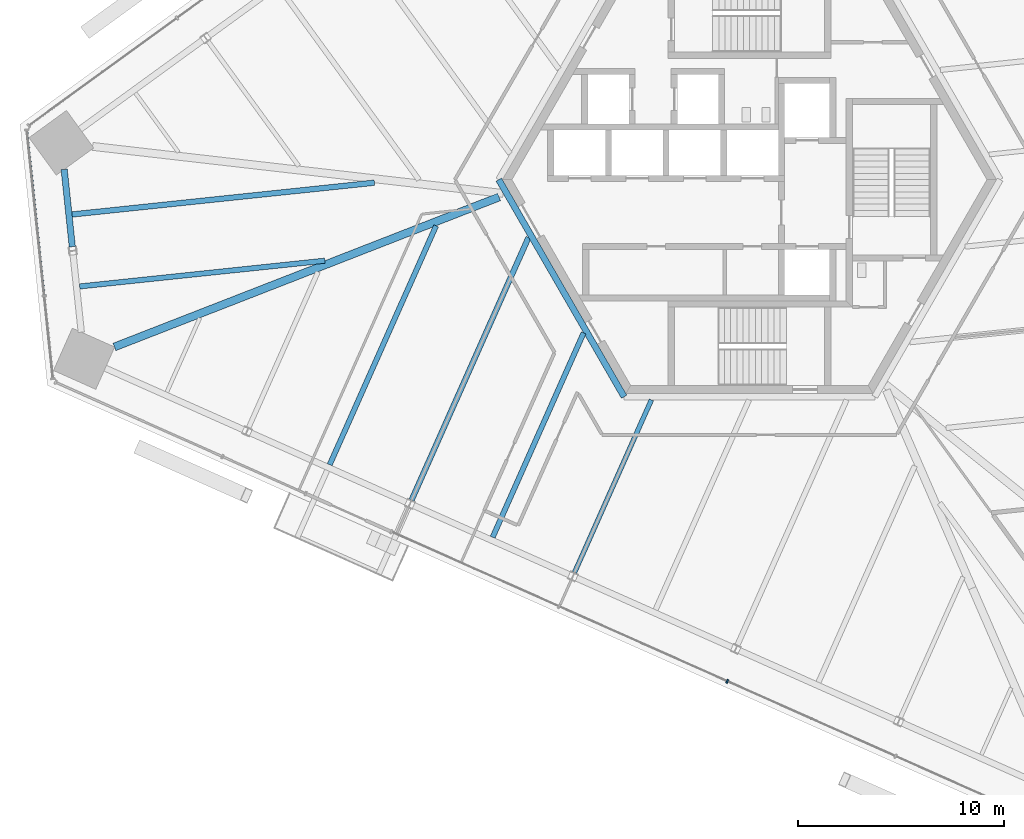
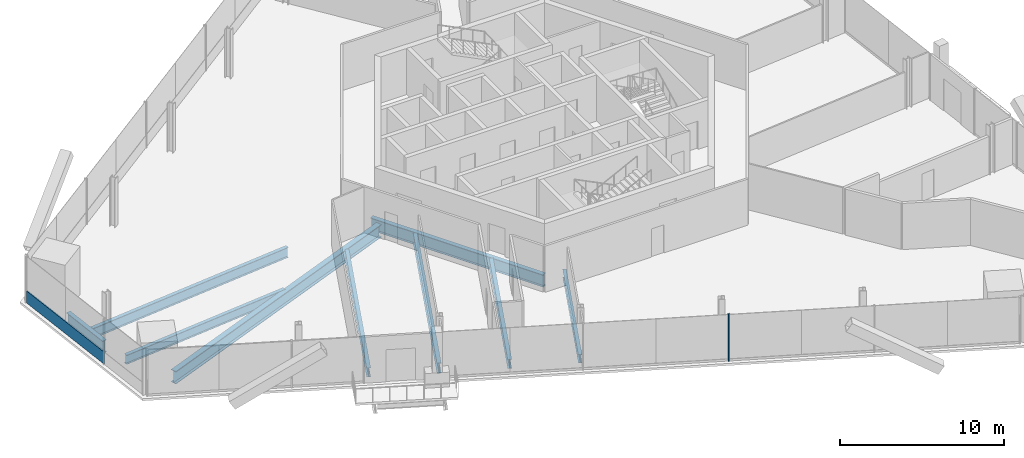
# One storey, part 4 of 17: 9 beams, 2 members, 2 elements without a shape of their own.
"""IFC4 building model written with IfcOpenShell, lengths in metres."""

import ifcopenshell
import ifcopenshell.guid

model = None  # the IFC model being written
_history = None  # IfcOwnerHistory: only IFC2X3 demands one
_inside = {}  # id of a spatial element -> (the spatial element, [elements in it])
_under = {}  # id of a project, library or spatial element -> (it, [spatial elements below it])
_declared = {}  # id of a project -> (the project, [libraries it declares])
_typed = {}  # id of a type object -> (the type object, [elements of that type])
_made_of = {}  # id of a material, layer set ... -> (it, [elements and type objects made of it])


def new_model(schema):
    """Start an empty IFC model of exactly this schema.

    Asked for "IFC4X3", IfcOpenShell would pick the latest addendum, in which some entities
    have other attributes; the version numbers below select the first issue.
    IFC2X3 requires an IfcOwnerHistory on every rooted entity: one is made here for all.
    """
    global model, _history
    if schema == "IFC4X3":
        model = ifcopenshell.file(schema_version=(4, 3, 0, 0))
    else:
        model = ifcopenshell.file(schema=schema)
    _inside.clear()
    _under.clear()
    _declared.clear()
    _typed.clear()
    _made_of.clear()
    _history = None
    if model.schema == "IFC2X3":
        org = make("IfcOrganization", Name="unknown")
        user = make(
            "IfcPersonAndOrganization",
            ThePerson=make("IfcPerson", FamilyName="unknown"),
            TheOrganization=org,
        )
        app = make(
            "IfcApplication",
            ApplicationDeveloper=org,
            Version="unknown",
            ApplicationFullName="unknown",
            ApplicationIdentifier="unknown",
        )
        _history = make(
            "IfcOwnerHistory",
            OwningUser=user,
            OwningApplication=app,
            ChangeAction="ADDED",
            CreationDate=0,
        )
    return model


def make(cls, **values):
    """One entity of the class cls with the attributes given. An attribute that is None is left unset."""
    return model.create_entity(
        cls, **{name: value for name, value in values.items() if value is not None}
    )


def rooted(cls, **values):
    """An entity with a GlobalId (a new one), such as an element, a storey or a relation."""
    return make(cls, GlobalId=ifcopenshell.guid.new(), OwnerHistory=_history, **values)


def si_unit(unit_type, name, prefix=None):
    """IfcSIUnit, for example si_unit("LENGTHUNIT", "METRE", prefix="MILLI")."""
    return make("IfcSIUnit", UnitType=unit_type, Prefix=prefix, Name=name)


def assignment(units):
    """IfcUnitAssignment: the units of a project."""
    return None if units is None else make("IfcUnitAssignment", Units=units)


def point(xyz):
    """IfcCartesianPoint."""
    return None if xyz is None else make("IfcCartesianPoint", Coordinates=xyz)


def direction(xyz):
    """IfcDirection."""
    return None if xyz is None else make("IfcDirection", DirectionRatios=xyz)


def frame(location, z_axis=None, x_axis=None):
    """IfcAxis2Placement3D, a coordinate frame: its origin and axes. An axis left out is left unset."""
    return make(
        "IfcAxis2Placement3D",
        Location=point(location),
        Axis=direction(z_axis),
        RefDirection=direction(x_axis),
    )


def frame_2d(location, x_axis=None):
    """IfcAxis2Placement2D, a coordinate frame in the plane: its origin and x axis."""
    return make(
        "IfcAxis2Placement2D", Location=point(location), RefDirection=direction(x_axis)
    )


def origin():
    """The frame at (0, 0, 0) with its axes left unset."""
    return frame((0.0, 0.0, 0.0))


def origin_2d():
    """The frame at (0, 0) in the plane with its x axis left unset."""
    return frame_2d((0.0, 0.0))


def place(relative_to, where):
    """IfcLocalPlacement: puts the frame where relative to a parent placement (None: the world)."""
    return make(
        "IfcLocalPlacement", PlacementRelTo=relative_to, RelativePlacement=where
    )


def context(
    kind, dimensions, precision=None, world=None, true_north=None, identifier=None
):
    """IfcGeometricRepresentationContext, for example the 3D "Model" context."""
    return make(
        "IfcGeometricRepresentationContext",
        ContextIdentifier=identifier,
        ContextType=kind,
        CoordinateSpaceDimension=dimensions,
        Precision=precision,
        WorldCoordinateSystem=world,
        TrueNorth=true_north,
    )


def subcontext(parent, identifier, kind, view, scale=None):
    """IfcGeometricRepresentationSubContext, for example "Body" below "Model"."""
    return make(
        "IfcGeometricRepresentationSubContext",
        ContextIdentifier=identifier,
        ContextType=kind,
        ParentContext=parent,
        TargetScale=scale,
        TargetView=view,
    )


def project(units=None, contexts=None):
    """IfcProject with its units and contexts."""
    return rooted(
        "IfcProject",
        Name="project",
        RepresentationContexts=contexts,
        UnitsInContext=assignment(units),
    )


def spatial(cls, under=None, at=None, **own):
    """A site, building, storey or space (cls), placed at a placement, below another one or the project."""
    s = rooted(cls, ObjectPlacement=at, **own)
    if under is not None:
        _under.setdefault(under.id(), (under, []))[1].append(s)
    return s


def profile(cls, at=None, kind="AREA", **sizes):
    """A parametric profile (cls). Its sizes go by their IFC names, for example OverallWidth=200.0."""
    return make(cls, ProfileType=kind, Position=at, **sizes)


def rectangle(**sizes):
    """IfcRectangleProfileDef."""
    return profile("IfcRectangleProfileDef", **sizes)


def i_section(**sizes):
    """IfcIShapeProfileDef."""
    return profile("IfcIShapeProfileDef", **sizes)


def extrude(swept, where, along, depth):
    """IfcExtrudedAreaSolid: the profile swept, set in the frame where, extruded along a direction by depth."""
    return make(
        "IfcExtrudedAreaSolid",
        SweptArea=swept,
        Position=where,
        ExtrudedDirection=direction(along),
        Depth=depth,
    )


def shape(context_of_items, identifier, shape_type, items):
    """IfcShapeRepresentation: the items that make up one representation, for example the "Body"."""
    return make(
        "IfcShapeRepresentation",
        ContextOfItems=context_of_items,
        RepresentationIdentifier=identifier,
        RepresentationType=shape_type,
        Items=items,
    )


def source(mapping_origin, context_of_items, identifier, shape_type, items):
    """IfcRepresentationMap: a shape defined once, which mapped items show again and again."""
    return make(
        "IfcRepresentationMap",
        MappingOrigin=mapping_origin,
        MappedRepresentation=shape(context_of_items, identifier, shape_type, items),
    )


def transform(
    local_origin,
    x_axis=None,
    y_axis=None,
    z_axis=None,
    scale=None,
    scale2=None,
    scale3=None,
    uniform=True,
):
    """IfcCartesianTransformationOperator3D, or its non-uniform kind. x_axis, y_axis, z_axis: its Axis1, 2, 3."""
    if uniform:
        return make(
            "IfcCartesianTransformationOperator3D",
            Axis1=direction(x_axis),
            Axis2=direction(y_axis),
            LocalOrigin=point(local_origin),
            Scale=scale,
            Axis3=direction(z_axis),
        )
    return make(
        "IfcCartesianTransformationOperator3DnonUniform",
        Axis1=direction(x_axis),
        Axis2=direction(y_axis),
        LocalOrigin=point(local_origin),
        Scale=scale,
        Axis3=direction(z_axis),
        Scale2=scale2,
        Scale3=scale3,
    )


def mapped(mapping_source, mapping_target):
    """IfcMappedItem: shows the shape of a source again, moved by a transform."""
    return make(
        "IfcMappedItem", MappingSource=mapping_source, MappingTarget=mapping_target
    )


def material(Name=None, Category=None):
    """IfcMaterial."""
    return make("IfcMaterial", Name=Name, Category=Category)


def material_profile(
    of_material, cross_section, Name=None, Category=None, Priority=None
):
    """IfcMaterialProfile: a cross section and its material."""
    return make(
        "IfcMaterialProfile",
        Name=Name,
        Material=of_material,
        Profile=cross_section,
        Priority=Priority,
        Category=Category,
    )


def profile_set(profiles, Name=None, composite=None):
    """IfcMaterialProfileSet."""
    return make(
        "IfcMaterialProfileSet",
        Name=Name,
        MaterialProfiles=profiles,
        CompositeProfile=composite,
    )


def made_of(thing, what):
    """Note that an element or type object is made of a material, layer set ...; save() writes the relation."""
    if what is not None:
        _made_of.setdefault(what.id(), (what, []))[1].append(thing)
    return thing


def type_object(cls, material=None, **own):
    """A type object (cls), such as IfcWallType, which elements share."""
    return made_of(rooted(cls, **own), material)


def element(
    cls,
    number,
    at=None,
    inside=None,
    cuts=None,
    type_object=None,
    material=None,
    context=None,
    identifier="Body",
    shape_type=None,
    held_by="IfcProductDefinitionShape",
    body=None,
    shapes=None,
    **own,
):
    """One element of the class cls, such as IfcWall. Its Tag is "e" and its number.

    at: its placement. inside: the storey or other place that contains it. cuts: it is an
    opening in that element (IfcRelVoidsElement). A single representation is given by context,
    identifier, shape_type and body (its items); several are given by shapes. held_by: the class
    of the entity that holds the representations. save() writes the other relations.
    """
    e = rooted(cls, Tag="e%d" % number, ObjectPlacement=at, **own)
    if body is not None:
        shapes = [shape(context, identifier, shape_type, body)]
    if shapes is not None:
        e.Representation = make(held_by, Representations=shapes)
    if inside is not None:
        _inside.setdefault(inside.id(), (inside, []))[1].append(e)
    if cuts is not None:
        rooted(
            "IfcRelVoidsElement", RelatingBuildingElement=cuts, RelatedOpeningElement=e
        )
    if type_object is not None:
        _typed.setdefault(type_object.id(), (type_object, []))[1].append(e)
    return made_of(e, material)


def aggregate(whole, parts):
    """IfcRelAggregates: a whole, such as a stair, and the parts it consists of."""
    return rooted("IfcRelAggregates", RelatingObject=whole, RelatedObjects=parts)


def save(model, path):
    """Write the relations noted so far, then the file.

    IfcRelAggregates (storeys below a building ...), IfcRelContainedInSpatialStructure (elements
    in a storey), IfcRelDefinesByType, IfcRelAssociatesMaterial and IfcRelDeclares: one each for
    every whole, place, type object, material and project.
    """
    for whole, parts in _under.values():
        aggregate(whole, parts)
    for where, things in _inside.values():
        rooted(
            "IfcRelContainedInSpatialStructure",
            RelatedElements=things,
            RelatingStructure=where,
        )
    for kind, things in _typed.values():
        rooted("IfcRelDefinesByType", RelatedObjects=things, RelatingType=kind)
    for what, things in _made_of.values():
        rooted("IfcRelAssociatesMaterial", RelatedObjects=things, RelatingMaterial=what)
    for by, libraries in _declared.values():
        rooted("IfcRelDeclares", RelatingContext=by, RelatedDefinitions=libraries)
    model.write(path)


model = new_model("IFC4")

# Units and contexts
model_context = context("Model", 3, precision=1e-05, world=origin(), true_north=direction((0.0, 1.0)))
body_context = subcontext(model_context, "Body", "Model", "MODEL_VIEW")
ifc_project = project(units=[si_unit("LENGTHUNIT", "METRE"), si_unit("AREAUNIT", "SQUARE_METRE"), si_unit("VOLUMEUNIT", "CUBIC_METRE"), si_unit("PLANEANGLEUNIT", "RADIAN"), si_unit("MASSUNIT", "GRAM", prefix="KILO")], contexts=[model_context])

# Site, building, storey
site_placement = place(None, origin())
site = spatial("IfcSite", under=ifc_project, at=site_placement, CompositionType="ELEMENT")
building_placement = place(site_placement, origin())
building = spatial("IfcBuilding", under=site, at=building_placement, Name="Triune Harvest Tower", CompositionType="ELEMENT")
storey_placement = place(building_placement, frame((0.0, 0.0, 62.10009765625)))
storey = spatial("IfcBuildingStorey", under=building, at=storey_placement, Name="L14", CompositionType="ELEMENT", Elevation=62.10009765625)

# Beams
ifc_material_1 = material(Name="Steel ASTM A992 Gr 50", Category="steel")
ifc_material_profile_1 = material_profile(ifc_material_1, i_section(OverallWidth=0.3046875, OverallDepth=0.914306640625, WebThickness=0.0166015625, FlangeThickness=0.02587890625, at=origin_2d()), Name="W36x160")
ifc_profile_set_1 = profile_set([ifc_material_profile_1], Name="Steel ASTM A992 Gr 50")
beam_type_1 = type_object("IfcBeamType", Name="CG-1 Core ring girder W36x160", PredefinedType="BEAM", material=ifc_profile_set_1)
shared_shape_1 = source(origin(), body_context, "Body", "SweptSolid", [
    extrude(i_section(OverallWidth=0.3046875, OverallDepth=0.914306640625, WebThickness=0.0166015625, FlangeThickness=0.02587890625, at=origin_2d()), origin(), (0.0, 0.0, 1.0), 12.176025390625),
])
beam_1_placement = place(storey_placement, frame((-12.176025390625, 0.0, -0.6171875), z_axis=(0.5000099932, -0.866019634131, 0.0), x_axis=(0.866019634131, 0.5000099932, 0.0)))
element("IfcBeam", 1, at=beam_1_placement, inside=storey, type_object=beam_type_1, Name="beam/L14/CG4", PredefinedType="BEAM", context=body_context, shape_type="MappedRepresentation", body=[
    mapped(shared_shape_1, transform((0.0, 0.0, 0.0), scale=1.0)),
])
ifc_material_2 = material(Name="Steel ASTM A992 Gr 50", Category="steel")
ifc_material_profile_2 = material_profile(ifc_material_2, i_section(OverallWidth=0.3046875, OverallDepth=0.914306640625, WebThickness=0.0166015625, FlangeThickness=0.02587890625, at=origin_2d()), Name="W36x160")
ifc_profile_set_2 = profile_set([ifc_material_profile_2], Name="Steel ASTM A992 Gr 50")
beam_type_2 = type_object("IfcBeamType", Name="SB-1 Spandrel beam W36x160", PredefinedType="SPANDREL", material=ifc_profile_set_2)
shared_shape_2 = source(origin(), body_context, "Body", "SweptSolid", [
    extrude(i_section(OverallWidth=0.3046875, OverallDepth=0.914306640625, WebThickness=0.0166015625, FlangeThickness=0.02587890625, at=origin_2d()), origin(), (0.0, 0.0, 1.0), 3.775146484375),
])
beam_2_placement = place(storey_placement, frame((-33.28564453125, 0.497802734375, -0.6171875), z_axis=(0.104509725916, -0.994523864565, 0.0), x_axis=(0.994523864565, 0.104509725916, 0.0)))
element("IfcBeam", 2, at=beam_2_placement, inside=storey, type_object=beam_type_2, Name="beam/L14/SB15", PredefinedType="SPANDREL", context=body_context, shape_type="MappedRepresentation", body=[
    mapped(shared_shape_2, transform((0.0, 0.0, 0.0), scale=1.0)),
])
ifc_material_3 = material(Name="Steel ASTM A992 Gr 50", Category="steel")
ifc_material_profile_3 = material_profile(ifc_material_3, i_section(OverallWidth=0.383544921875, OverallDepth=0.9423828125, WebThickness=0.022216796875, FlangeThickness=0.039794921875, at=origin_2d()), Name="W36x232")
ifc_profile_set_3 = profile_set([ifc_material_profile_3], Name="Steel ASTM A992 Gr 50")
beam_type_3 = type_object("IfcBeamType", Name="HG-1 Hip girder W36x232", PredefinedType="BEAM", material=ifc_profile_set_3)
shared_shape_3 = source(origin(), body_context, "Body", "SweptSolid", [
    extrude(i_section(OverallWidth=0.383544921875, OverallDepth=0.9423828125, WebThickness=0.022216796875, FlangeThickness=0.039794921875, at=origin_2d()), origin(), (0.0, 0.0, 1.0), 20.054443359375),
])
beam_3_placement = place(storey_placement, frame((-30.84423828125, -8.12451171875, -0.63134765625), z_axis=(0.931737115777, 0.363133511374, 0.0), x_axis=(-0.363133511374, 0.931737115777, 0.0)))
element("IfcBeam", 3, at=beam_3_placement, inside=storey, type_object=beam_type_3, Name="beam/L14/HG6", PredefinedType="BEAM", context=body_context, shape_type="MappedRepresentation", body=[
    mapped(shared_shape_3, transform((0.0, 0.0, 0.0), scale=1.0)),
])
ifc_material_4 = material(Name="Steel ASTM A992 Gr 50", Category="steel")
ifc_material_profile_4 = material_profile(ifc_material_4, i_section(OverallWidth=0.253662109375, OverallDepth=0.683349609375, WebThickness=0.012451171875, FlangeThickness=0.01904296875, at=origin_2d()), Name="W27x94")
ifc_profile_set_4 = profile_set([ifc_material_profile_4], Name="Steel ASTM A992 Gr 50")
beam_type_4 = type_object("IfcBeamType", Name="JT-4 Floor joist W27x94", PredefinedType="JOIST", material=ifc_profile_set_4)
shared_shape_4 = source(origin(), body_context, "Body", "SweptSolid", [
    extrude(i_section(OverallWidth=0.253662109375, OverallDepth=0.683349609375, WebThickness=0.012451171875, FlangeThickness=0.01904296875, at=origin_2d()), origin(), (0.0, 0.0, 1.0), 10.864501953125),
])
beam_4_placement = place(storey_placement, frame((-12.473876953125, -17.3681640625, -0.501708984375), z_axis=(0.406757614722, 0.913536120176, 0.0), x_axis=(-0.913536120176, 0.406757614722, 0.0)))
element("IfcBeam", 4, at=beam_4_placement, inside=storey, type_object=beam_type_4, Name="beam/L14/JT31", PredefinedType="JOIST", context=body_context, shape_type="MappedRepresentation", body=[
    mapped(shared_shape_4, transform((0.0, 0.0, 0.0), scale=1.0)),
])
shared_shape_5 = source(origin(), body_context, "Body", "SweptSolid", [
    extrude(i_section(OverallWidth=0.253662109375, OverallDepth=0.683349609375, WebThickness=0.012451171875, FlangeThickness=0.01904296875, at=origin_2d()), origin(), (0.0, 0.0, 1.0), 12.701904296875),
])
beam_5_placement = place(storey_placement, frame((-20.38720703125, -13.844970703125, -0.501708984375), z_axis=(0.406748285801, 0.913540273879, 0.0), x_axis=(-0.913540273879, 0.406748285801, 0.0)))
element("IfcBeam", 5, at=beam_5_placement, inside=storey, type_object=beam_type_4, Name="beam/L14/JT29", PredefinedType="JOIST", context=body_context, shape_type="MappedRepresentation", body=[
    mapped(shared_shape_5, transform((0.0, 0.0, 0.0), scale=1.0)),
])
ifc_material_5 = material(Name="Steel ASTM A992 Gr 50", Category="steel")
ifc_material_profile_5 = material_profile(ifc_material_5, i_section(OverallWidth=0.2666015625, OverallDepth=0.7568359375, WebThickness=0.013916015625, FlangeThickness=0.019287109375, at=origin_2d()), Name="W30x108")
ifc_profile_set_5 = profile_set([ifc_material_profile_5], Name="Steel ASTM A992 Gr 50")
beam_type_5 = type_object("IfcBeamType", Name="JT-5 Floor joist W30x108", PredefinedType="JOIST", material=ifc_profile_set_5)
shared_shape_6 = source(origin(), body_context, "Body", "SweptSolid", [
    extrude(i_section(OverallWidth=0.2666015625, OverallDepth=0.7568359375, WebThickness=0.013916015625, FlangeThickness=0.019287109375, at=origin_2d()), origin(), (0.0, 0.0, 1.0), 14.7666015625),
])
beam_6_placement = place(storey_placement, frame((-32.90234375, -1.690673828125, -0.53857421875), z_axis=(0.994522471236, 0.10452298411, 0.0), x_axis=(-0.10452298411, 0.994522471236, 0.0)))
element("IfcBeam", 6, at=beam_6_placement, inside=storey, type_object=beam_type_5, Name="beam/L14/JT25", PredefinedType="JOIST", context=body_context, shape_type="MappedRepresentation", body=[
    mapped(shared_shape_6, transform((0.0, 0.0, 0.0), scale=1.0)),
])
shared_shape_7 = source(origin(), body_context, "Body", "SweptSolid", [
    extrude(i_section(OverallWidth=0.253662109375, OverallDepth=0.683349609375, WebThickness=0.012451171875, FlangeThickness=0.01904296875, at=origin_2d()), origin(), (0.0, 0.0, 1.0), 11.9775390625),
])
beam_7_placement = place(storey_placement, frame((-32.534912109375, -5.18701171875, -0.501708984375), z_axis=(0.994522193593, 0.104525625807, 0.0), x_axis=(-0.104525625807, 0.994522193593, 0.0)))
element("IfcBeam", 7, at=beam_7_placement, inside=storey, type_object=beam_type_4, Name="beam/L14/JT26", PredefinedType="JOIST", context=body_context, shape_type="MappedRepresentation", body=[
    mapped(shared_shape_7, transform((0.0, 0.0, 0.0), scale=1.0)),
])
shared_shape_8 = source(origin(), body_context, "Body", "SweptSolid", [
    extrude(i_section(OverallWidth=0.2666015625, OverallDepth=0.7568359375, WebThickness=0.013916015625, FlangeThickness=0.019287109375, at=origin_2d()), origin(), (0.0, 0.0, 1.0), 13.966796875),
])
beam_8_placement = place(storey_placement, frame((-16.412353515625, -15.56591796875, -0.53857421875), z_axis=(0.406743331023, 0.913542479948, 0.0), x_axis=(-0.913542479948, 0.406743331023, 0.0)))
element("IfcBeam", 8, at=beam_8_placement, inside=storey, type_object=beam_type_5, Name="beam/L14/JT30", PredefinedType="JOIST", context=body_context, shape_type="MappedRepresentation", body=[
    mapped(shared_shape_8, transform((0.0, 0.0, 0.0), scale=1.0)),
])
ifc_material_6 = material(Name="Steel ASTM A992 Gr 50", Category="steel")
ifc_material_profile_6 = material_profile(ifc_material_6, i_section(OverallWidth=0.22900390625, OverallDepth=0.612060546875, WebThickness=0.011962890625, FlangeThickness=0.01953125, at=origin_2d()), Name="W24x84")
ifc_profile_set_6 = profile_set([ifc_material_profile_6], Name="Steel ASTM A992 Gr 50")
beam_type_6 = type_object("IfcBeamType", Name="JT-3 Floor joist W24x84", PredefinedType="JOIST", material=ifc_profile_set_6)
shared_shape_9 = source(origin(), body_context, "Body", "SweptSolid", [
    extrude(i_section(OverallWidth=0.22900390625, OverallDepth=0.612060546875, WebThickness=0.011962890625, FlangeThickness=0.01953125, at=origin_2d()), origin(), (0.0, 0.0, 1.0), 9.1865234375),
])
beam_9_placement = place(storey_placement, frame((-8.4990234375, -19.08935546875, -0.46630859375), z_axis=(0.406720317643, 0.913552726019, 0.0), x_axis=(-0.913552726019, 0.406720317643, 0.0)))
element("IfcBeam", 9, at=beam_9_placement, inside=storey, type_object=beam_type_6, Name="beam/L14/JT32", PredefinedType="JOIST", context=body_context, shape_type="MappedRepresentation", body=[
    mapped(shared_shape_9, transform((0.0, 0.0, 0.0), scale=1.0)),
])

# Curtain wall, member
ifc_material_7 = material(Name="Aluminium bronze anodised", Category="aluminium")
curtain_wall_type_1 = type_object("IfcCurtainWallType", Name="CW-1 Tower stick curtain wall", PredefinedType="NOTDEFINED", material=ifc_material_7)
curtain_wall_1_placement = place(storey_placement, origin())
curtain_wall_1 = element("IfcCurtainWall", 10, at=curtain_wall_1_placement, inside=storey, type_object=curtain_wall_type_1, Name="CW-1 B2-F4 L14 run 1")
ifc_material_8 = material(Name="Aluminium bronze anodised", Category="aluminium")
ifc_material_profile_7 = material_profile(ifc_material_8, rectangle(XDim=0.090087890625, YDim=0.89990234375, at=origin_2d()), Name="TR-1 transom 90 x 900")
ifc_profile_set_7 = profile_set([ifc_material_profile_7], Name="Aluminium bronze anodised")
member_type_1 = type_object("IfcMemberType", Name="TR-1 transom 90 x 900", PredefinedType="USERDEFINED", material=ifc_profile_set_7)
shared_shape_10 = source(origin(), body_context, "Body", "SweptSolid", [
    extrude(rectangle(XDim=0.090087890625, YDim=0.89990234375, at=origin_2d()), origin(), (0.0, 0.0, 1.0), 8.0341796875),
])
member_1_placement = place(storey_placement, frame((-35.09765625, 2.37939453125, 0.449951171875), z_axis=(0.104532929154, -0.994521425975, 0.0), x_axis=(0.994521425975, 0.104532929154, 0.0)))
member_1 = element("IfcMember", 11, at=member_1_placement, type_object=member_type_1, Name="CW-1 transom B2-F4 1.1", ObjectType="TRANSOM", PredefinedType="USERDEFINED", context=body_context, shape_type="MappedRepresentation", body=[
    mapped(shared_shape_10, transform((0.0, 0.0, 0.0), scale=1.0)),
])
aggregate(curtain_wall_1, [member_1])

ifc_material_9 = material(Name="Aluminium bronze anodised", Category="aluminium")
curtain_wall_type_2 = type_object("IfcCurtainWallType", Name="CW-6 Balcony window wall", PredefinedType="NOTDEFINED", material=ifc_material_9)
curtain_wall_2_placement = place(storey_placement, origin())
curtain_wall_2 = element("IfcCurtainWall", 12, at=curtain_wall_2_placement, inside=storey, type_object=curtain_wall_type_2, Name="CW-6 B2-F5 L14 run 2")
ifc_material_10 = material(Name="Aluminium bronze anodised", Category="aluminium")
ifc_material_profile_8 = material_profile(ifc_material_10, rectangle(XDim=0.199951171875, YDim=0.074951171875, at=origin_2d()), Name="MU-6 mullion 75 x 200")
ifc_profile_set_8 = profile_set([ifc_material_profile_8], Name="Aluminium bronze anodised")
member_type_2 = type_object("IfcMemberType", Name="MU-6 mullion 75 x 200", PredefinedType="MULLION", material=ifc_profile_set_8)
shared_shape_11 = source(origin(), body_context, "Body", "SweptSolid", [
    extrude(rectangle(XDim=0.199951171875, YDim=0.074951171875, at=origin_2d()), origin(), (0.0, 0.0, 1.0), 3.43994140625),
])
member_2_placement = place(storey_placement, frame((-1.077392578125, -24.3662109375, 0.0), z_axis=(0.0, 0.0, 1.0), x_axis=(0.406737205721, 0.913545207137, 0.0)))
member_2 = element("IfcMember", 13, at=member_2_placement, type_object=member_type_2, Name="CW-6 mullion B2-F5 2.5", PredefinedType="MULLION", context=body_context, shape_type="MappedRepresentation", body=[
    mapped(shared_shape_11, transform((0.0, 0.0, 0.0), scale=1.0)),
])
aggregate(curtain_wall_2, [member_2])

save(model, "model.ifc")
